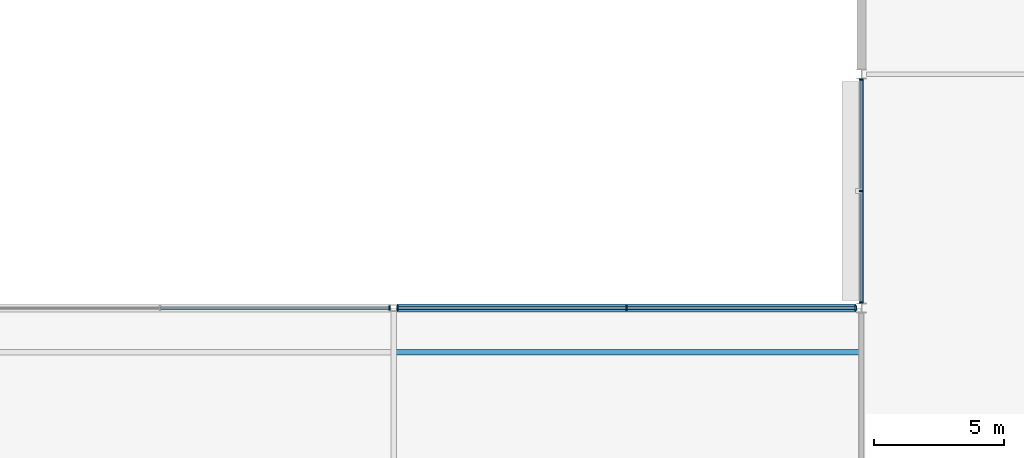
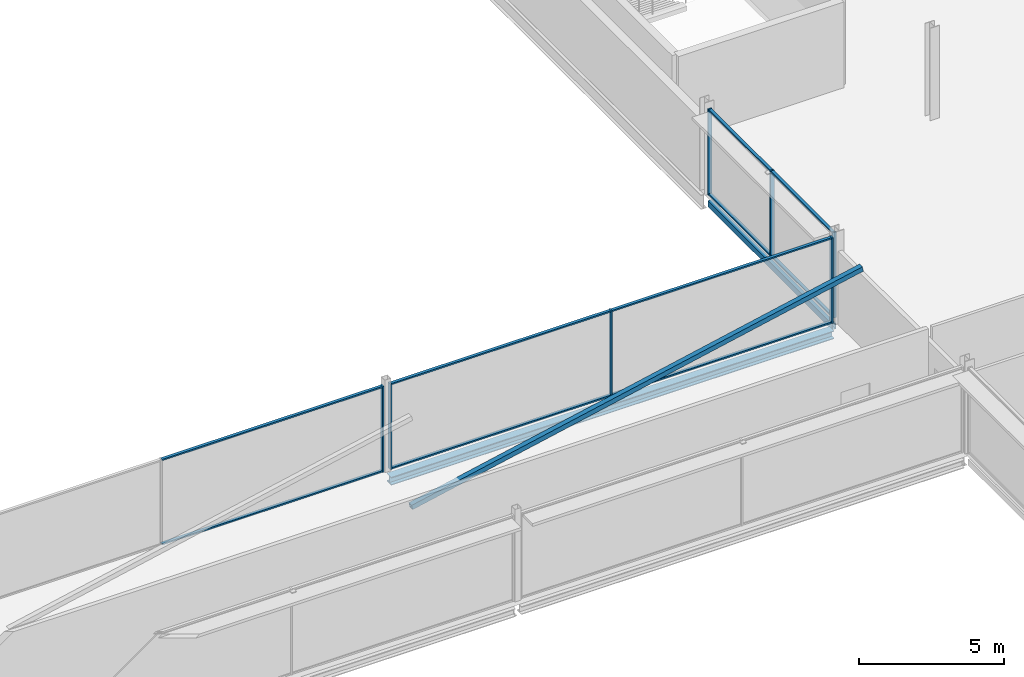
# One storey, part 41 of 98: 18 members, 2 beams, 3 elements without a shape of their own.
"""IFC4 building model written with IfcOpenShell, lengths in metres."""

from ifc_helpers import new_model, si_unit, direction, frame, origin, origin_2d, place, context, subcontext, project, spatial, rectangle, hollow_rectangle, i_section, extrude, material, layer, layer_set, material_profile, profile_set, type_object, element, aggregate, save


model = new_model("IFC4")

# Units and contexts
model_context = context("Model", 3, precision=1e-05, world=origin(), true_north=direction((0.0, 1.0)))
body_context = subcontext(model_context, "Body", "Model", "MODEL_VIEW")
ifc_project = project(units=[si_unit("LENGTHUNIT", "METRE"), si_unit("AREAUNIT", "SQUARE_METRE"), si_unit("VOLUMEUNIT", "CUBIC_METRE"), si_unit("PLANEANGLEUNIT", "RADIAN"), si_unit("MASSUNIT", "GRAM", prefix="KILO")], contexts=[model_context])

# Site, building, storey
site_placement = place(None, origin())
site = spatial("IfcSite", under=ifc_project, at=site_placement, CompositionType="ELEMENT")
building_placement = place(site_placement, origin())
building = spatial("IfcBuilding", under=site, at=building_placement, Name="Kisiwana Market Hall", CompositionType="ELEMENT")
storey_placement = place(building_placement, frame((0.0, 0.0, 29.39990234375)))
storey = spatial("IfcBuildingStorey", under=building, at=storey_placement, Name="L06", CompositionType="ELEMENT", Elevation=29.39990234375)

# Beams
ifc_material_1 = material(Name="Steel S355", Category="steel")
ifc_material_profile_1 = material_profile(ifc_material_1, i_section(OverallWidth=0.314453125, OverallDepth=0.33984375, WebThickness=0.01904296875, FlangeThickness=0.031494140625, at=origin_2d()), Name="UC 305x305x198")
ifc_profile_set_1 = profile_set([ifc_material_profile_1], Name="Steel S355")
beam_type_1 = type_object("IfcBeamType", Name="BM-SKYBR-CHORD", PredefinedType="BEAM", material=ifc_profile_set_1)
beam_1_placement = place(storey_placement, frame((135.12109375, 27.0, -0.434814453125), z_axis=(1.0, 0.0, 0.0), x_axis=(0.0, 1.0, 0.0)))
element("IfcBeam", 1, at=beam_1_placement, inside=storey, type_object=beam_type_1, Name="Floor beam B-1802", PredefinedType="BEAM", context=body_context, shape_type="SweptSolid", body=[
    extrude(i_section(OverallWidth=0.314453125, OverallDepth=0.33984375, WebThickness=0.01904296875, FlangeThickness=0.031494140625, at=origin_2d()), origin(), (0.0, 0.0, 1.0), 17.6796875),
])
ifc_material_2 = material(Name="Steel S355", Category="steel")
ifc_material_profile_2 = material_profile(ifc_material_2, hollow_rectangle(XDim=0.14990234375, YDim=0.25, WallThickness=0.010009765625, at=origin_2d()), Name="RHS 250x150x10.0")
ifc_profile_set_2 = profile_set([ifc_material_profile_2], Name="Steel S355")
beam_type_2 = type_object("IfcBeamType", Name="BM-SPAN-RHS250", PredefinedType="SPANDREL", material=ifc_profile_set_2)
beam_2_placement = place(storey_placement, frame((153.0, 27.19921875, -0.369873046875), z_axis=(0.0, 1.0, 0.0), x_axis=(-1.0, 0.0, 0.0)))
element("IfcBeam", 2, at=beam_2_placement, inside=storey, type_object=beam_type_2, Name="Floor beam B-1864", PredefinedType="SPANDREL", context=body_context, shape_type="SweptSolid", body=[
    extrude(hollow_rectangle(XDim=0.14990234375, YDim=0.25, WallThickness=0.010009765625, at=origin_2d()), origin(), (0.0, 0.0, 1.0), 8.6015625),
])

# Curtain wall, member
ifc_material_3 = material(Name="Double-glazed solar-control low-E IGU", Category="glass")
ifc_layer = layer(ifc_material_3, 0.159912109375)
ifc_layer_set = layer_set([ifc_layer], Name="CW-ZNA-EW-8200")
curtain_wall_type = type_object("IfcCurtainWallType", Name="CW-ZNA-EW-8200", PredefinedType="USERDEFINED", material=ifc_layer_set)
curtain_wall_1_placement = place(storey_placement, origin())
curtain_wall_1 = element("IfcCurtainWall", 3, at=curtain_wall_1_placement, inside=storey, type_object=curtain_wall_type, Name="Unitised curtain wall CW-182 (L06)", ObjectType="UNITISED CURTAIN WALL", PredefinedType="USERDEFINED")
ifc_material_4 = material(Name="Aluminium alloy 6063-T6", Category="aluminium")
ifc_material_profile_3 = material_profile(ifc_material_4, rectangle(XDim=0.06005859375, YDim=0.159912109375, at=origin_2d()), Name="ALU MULLION 60x160")
ifc_profile_set_3 = profile_set([ifc_material_profile_3], Name="Aluminium alloy 6063-T6")
member_type_1 = type_object("IfcMemberType", Name="CW-MULL-60x160", PredefinedType="MULLION", material=ifc_profile_set_3)
member_1_placement = place(storey_placement, frame((134.844970703125, 27.0, 0.0), z_axis=(0.0, 0.0, 1.0), x_axis=(1.0, 0.0, 0.0)))
member_1 = element("IfcMember", 4, at=member_1_placement, type_object=member_type_1, Name="CW-182 mullion 3", PredefinedType="MULLION", context=body_context, shape_type="SweptSolid", body=[
    extrude(rectangle(XDim=0.06005859375, YDim=0.159912109375, at=origin_2d()), origin(), (0.0, 0.0, 1.0), 3.6201171875),
])

# Curtain wall, members
curtain_wall_2_placement = place(storey_placement, origin())
curtain_wall_2 = element("IfcCurtainWall", 5, at=curtain_wall_2_placement, inside=storey, type_object=curtain_wall_type, Name="Unitised curtain wall CW-183 (L06)", ObjectType="UNITISED CURTAIN WALL", PredefinedType="USERDEFINED")
member_2_placement = place(storey_placement, frame((135.155029296875, 27.0, 0.0), z_axis=(0.0, 0.0, 1.0), x_axis=(1.0, 0.0, 0.0)))
member_2 = element("IfcMember", 6, at=member_2_placement, type_object=member_type_1, Name="CW-183 mullion 1", PredefinedType="MULLION", context=body_context, shape_type="SweptSolid", body=[
    extrude(rectangle(XDim=0.06005859375, YDim=0.159912109375, at=origin_2d()), origin(), (0.0, 0.0, 1.0), 3.6201171875),
])
member_3_placement = place(storey_placement, frame((143.969970703125, 27.0, 0.0), z_axis=(0.0, 0.0, 1.0), x_axis=(1.0, 0.0, 0.0)))
member_3 = element("IfcMember", 7, at=member_3_placement, type_object=member_type_1, Name="CW-183 mullion 2", PredefinedType="MULLION", context=body_context, shape_type="SweptSolid", body=[
    extrude(rectangle(XDim=0.06005859375, YDim=0.159912109375, at=origin_2d()), origin(), (0.0, 0.0, 1.0), 3.6201171875),
])
member_4_placement = place(storey_placement, frame((152.784912109375, 27.0, 0.0), z_axis=(0.0, 0.0, 1.0), x_axis=(1.0, 0.0, 0.0)))
member_4 = element("IfcMember", 8, at=member_4_placement, type_object=member_type_1, Name="CW-183 mullion 3", PredefinedType="MULLION", context=body_context, shape_type="SweptSolid", body=[
    extrude(rectangle(XDim=0.06005859375, YDim=0.159912109375, at=origin_2d()), origin(), (0.0, 0.0, 1.0), 3.6201171875),
])

curtain_wall_3_placement = place(storey_placement, origin())
curtain_wall_3 = element("IfcCurtainWall", 9, at=curtain_wall_3_placement, inside=storey, type_object=curtain_wall_type, Name="Unitised curtain wall CW-205 (L06)", ObjectType="UNITISED CURTAIN WALL", PredefinedType="USERDEFINED")
member_5_placement = place(storey_placement, frame((153.0, 27.2109375, 0.0), z_axis=(0.0, 0.0, 1.0), x_axis=(0.0, 1.0, 0.0)))
member_5 = element("IfcMember", 10, at=member_5_placement, type_object=member_type_1, Name="CW-205 mullion 1", PredefinedType="MULLION", context=body_context, shape_type="SweptSolid", body=[
    extrude(rectangle(XDim=0.06005859375, YDim=0.159912109375, at=origin_2d()), origin(), (0.0, 0.0, 1.0), 3.6201171875),
])
member_6_placement = place(storey_placement, frame((153.0, 31.5, 0.0), z_axis=(0.0, 0.0, 1.0), x_axis=(0.0, 1.0, 0.0)))
member_6 = element("IfcMember", 11, at=member_6_placement, type_object=member_type_1, Name="CW-205 mullion 2", PredefinedType="MULLION", context=body_context, shape_type="SweptSolid", body=[
    extrude(rectangle(XDim=0.06005859375, YDim=0.159912109375, at=origin_2d()), origin(), (0.0, 0.0, 1.0), 3.6201171875),
])
member_7_placement = place(storey_placement, frame((153.0, 35.7890625, 0.0), z_axis=(0.0, 0.0, 1.0), x_axis=(0.0, 1.0, 0.0)))
member_7 = element("IfcMember", 12, at=member_7_placement, type_object=member_type_1, Name="CW-205 mullion 3", PredefinedType="MULLION", context=body_context, shape_type="SweptSolid", body=[
    extrude(rectangle(XDim=0.06005859375, YDim=0.159912109375, at=origin_2d()), origin(), (0.0, 0.0, 1.0), 3.6201171875),
])

# Member
ifc_material_5 = material(Name="Aluminium alloy 6063-T6", Category="aluminium")
ifc_material_profile_4 = material_profile(ifc_material_5, rectangle(XDim=0.1201171875, YDim=0.06005859375, at=origin_2d()), Name="ALU TRANSOM 60x120")
ifc_profile_set_4 = profile_set([ifc_material_profile_4], Name="Aluminium alloy 6063-T6")
member_type_2 = type_object("IfcMemberType", Name="CW-TRAN-60x120", PredefinedType="USERDEFINED", material=ifc_profile_set_4)
member_8_placement = place(storey_placement, frame((126.030029296875, 27.0, 0.030029296875), z_axis=(1.0, 0.0, 0.0), x_axis=(0.0, 1.0, 0.0)))
member_8 = element("IfcMember", 13, at=member_8_placement, type_object=member_type_2, Name="CW-182 transom 2.1", ObjectType="TRANSOM", PredefinedType="USERDEFINED", context=body_context, shape_type="SweptSolid", body=[
    extrude(rectangle(XDim=0.1201171875, YDim=0.06005859375, at=origin_2d()), origin(), (0.0, 0.0, 1.0), 8.784912109375),
])

member_9_placement = place(storey_placement, frame((126.030029296875, 27.0, 3.590087890625), z_axis=(1.0, 0.0, 0.0), x_axis=(0.0, 1.0, 0.0)))
member_9 = element("IfcMember", 14, at=member_9_placement, type_object=member_type_2, Name="CW-182 transom 2.2", ObjectType="TRANSOM", PredefinedType="USERDEFINED", context=body_context, shape_type="SweptSolid", body=[
    extrude(rectangle(XDim=0.1201171875, YDim=0.06005859375, at=origin_2d()), origin(), (0.0, 0.0, 1.0), 8.784912109375),
])

aggregate(curtain_wall_1, [member_1, member_8, member_9])

member_10_placement = place(storey_placement, frame((135.18505859375, 27.0, 0.030029296875), z_axis=(1.0, 0.0, 0.0), x_axis=(0.0, 1.0, 0.0)))
member_10 = element("IfcMember", 15, at=member_10_placement, type_object=member_type_2, Name="CW-183 transom 1.1", ObjectType="TRANSOM", PredefinedType="USERDEFINED", context=body_context, shape_type="SweptSolid", body=[
    extrude(rectangle(XDim=0.1201171875, YDim=0.06005859375, at=origin_2d()), origin(), (0.0, 0.0, 1.0), 8.7548828125),
])

member_11_placement = place(storey_placement, frame((135.18505859375, 27.0, 3.590087890625), z_axis=(1.0, 0.0, 0.0), x_axis=(0.0, 1.0, 0.0)))
member_11 = element("IfcMember", 16, at=member_11_placement, type_object=member_type_2, Name="CW-183 transom 1.2", ObjectType="TRANSOM", PredefinedType="USERDEFINED", context=body_context, shape_type="SweptSolid", body=[
    extrude(rectangle(XDim=0.1201171875, YDim=0.06005859375, at=origin_2d()), origin(), (0.0, 0.0, 1.0), 8.7548828125),
])

member_12_placement = place(storey_placement, frame((144.0, 27.0, 0.030029296875), z_axis=(1.0, 0.0, 0.0), x_axis=(0.0, 1.0, 0.0)))
member_12 = element("IfcMember", 17, at=member_12_placement, type_object=member_type_2, Name="CW-183 transom 2.1", ObjectType="TRANSOM", PredefinedType="USERDEFINED", context=body_context, shape_type="SweptSolid", body=[
    extrude(rectangle(XDim=0.1201171875, YDim=0.06005859375, at=origin_2d()), origin(), (0.0, 0.0, 1.0), 8.7548828125),
])

member_13_placement = place(storey_placement, frame((144.0, 27.0, 3.590087890625), z_axis=(1.0, 0.0, 0.0), x_axis=(0.0, 1.0, 0.0)))
member_13 = element("IfcMember", 18, at=member_13_placement, type_object=member_type_2, Name="CW-183 transom 2.2", ObjectType="TRANSOM", PredefinedType="USERDEFINED", context=body_context, shape_type="SweptSolid", body=[
    extrude(rectangle(XDim=0.1201171875, YDim=0.06005859375, at=origin_2d()), origin(), (0.0, 0.0, 1.0), 8.7548828125),
])

aggregate(curtain_wall_2, [member_2, member_3, member_4, member_10, member_11, member_12, member_13])

member_14_placement = place(storey_placement, frame((153.0, 27.240966796875, 0.030029296875), z_axis=(0.0, 1.0, 0.0), x_axis=(-1.0, 0.0, 0.0)))
member_14 = element("IfcMember", 19, at=member_14_placement, type_object=member_type_2, Name="CW-205 transom 1.1", ObjectType="TRANSOM", PredefinedType="USERDEFINED", context=body_context, shape_type="SweptSolid", body=[
    extrude(rectangle(XDim=0.1201171875, YDim=0.06005859375, at=origin_2d()), origin(), (0.0, 0.0, 1.0), 4.22900390625),
])

member_15_placement = place(storey_placement, frame((153.0, 27.240966796875, 3.590087890625), z_axis=(0.0, 1.0, 0.0), x_axis=(-1.0, 0.0, 0.0)))
member_15 = element("IfcMember", 20, at=member_15_placement, type_object=member_type_2, Name="CW-205 transom 1.2", ObjectType="TRANSOM", PredefinedType="USERDEFINED", context=body_context, shape_type="SweptSolid", body=[
    extrude(rectangle(XDim=0.1201171875, YDim=0.06005859375, at=origin_2d()), origin(), (0.0, 0.0, 1.0), 4.22900390625),
])

member_16_placement = place(storey_placement, frame((153.0, 31.530029296875, 0.030029296875), z_axis=(0.0, 1.0, 0.0), x_axis=(-1.0, 0.0, 0.0)))
member_16 = element("IfcMember", 21, at=member_16_placement, type_object=member_type_2, Name="CW-205 transom 2.1", ObjectType="TRANSOM", PredefinedType="USERDEFINED", context=body_context, shape_type="SweptSolid", body=[
    extrude(rectangle(XDim=0.1201171875, YDim=0.06005859375, at=origin_2d()), origin(), (0.0, 0.0, 1.0), 4.22900390625),
])

member_17_placement = place(storey_placement, frame((153.0, 31.530029296875, 3.590087890625), z_axis=(0.0, 1.0, 0.0), x_axis=(-1.0, 0.0, 0.0)))
member_17 = element("IfcMember", 22, at=member_17_placement, type_object=member_type_2, Name="CW-205 transom 2.2", ObjectType="TRANSOM", PredefinedType="USERDEFINED", context=body_context, shape_type="SweptSolid", body=[
    extrude(rectangle(XDim=0.1201171875, YDim=0.06005859375, at=origin_2d()), origin(), (0.0, 0.0, 1.0), 4.22900390625),
])

aggregate(curtain_wall_3, [member_5, member_6, member_7, member_14, member_15, member_16, member_17])

ifc_material_6 = material(Name="Steel S355", Category="steel")
ifc_material_profile_5 = material_profile(ifc_material_6, hollow_rectangle(XDim=0.199951171875, YDim=0.199951171875, WallThickness=0.010009765625, at=origin_2d()), Name="SHS 200x200x10.0")
ifc_profile_set_5 = profile_set([ifc_material_profile_5], Name="Steel S355")
member_type_3 = type_object("IfcMemberType", Name="MB-SKY-DIAG200", PredefinedType="BRACE", material=ifc_profile_set_5)
member_18_placement = place(storey_placement, frame((135.0, 25.300048828125, -0.5), z_axis=(0.978762510891, 0.0, 0.204997432362), x_axis=(0.0, 1.0, 0.0)))
element("IfcMember", 23, at=member_18_placement, inside=storey, type_object=member_type_3, Name="Skybridge truss diagonal L06 grids 16 to 18 M-0501", PredefinedType="BRACE", context=body_context, shape_type="SweptSolid", body=[
    extrude(hollow_rectangle(XDim=0.199951171875, YDim=0.199951171875, WallThickness=0.010009765625, at=origin_2d()), origin(), (0.0, 0.0, 1.0), 18.390625),
])

save(model, "model.ifc")
